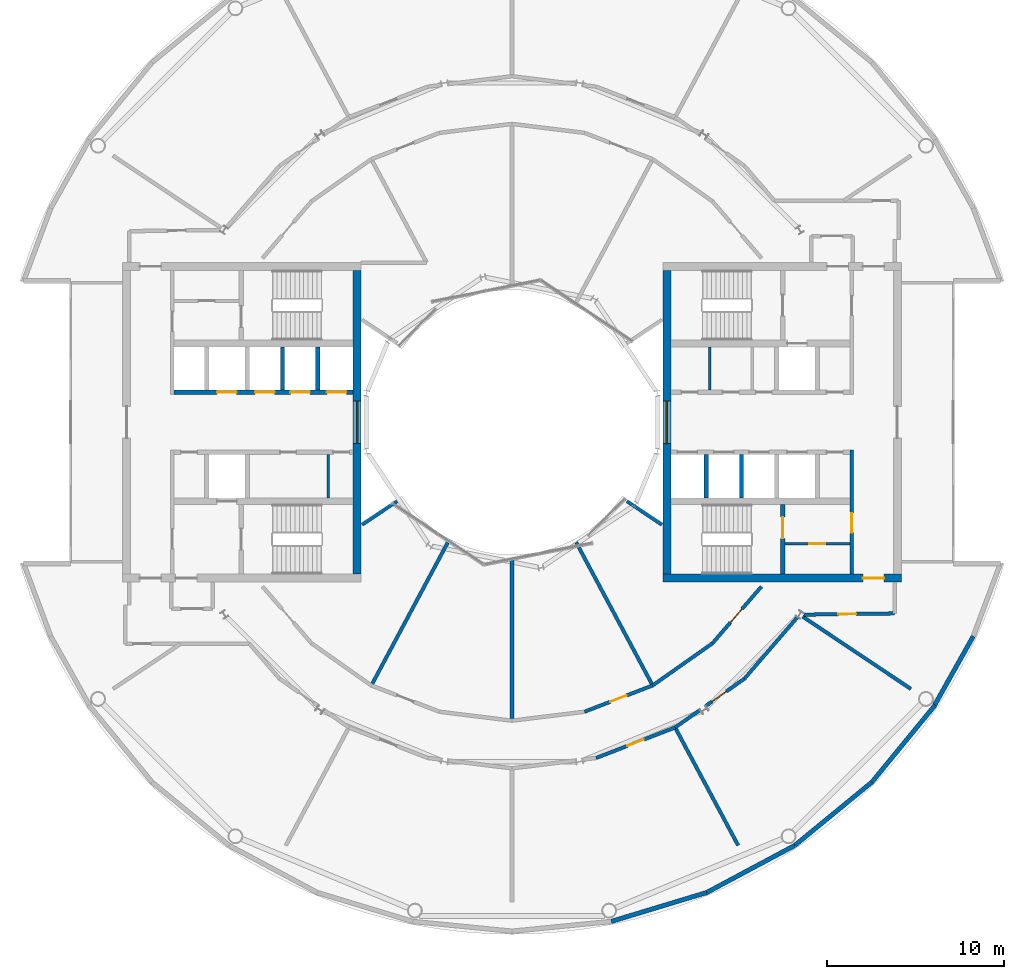
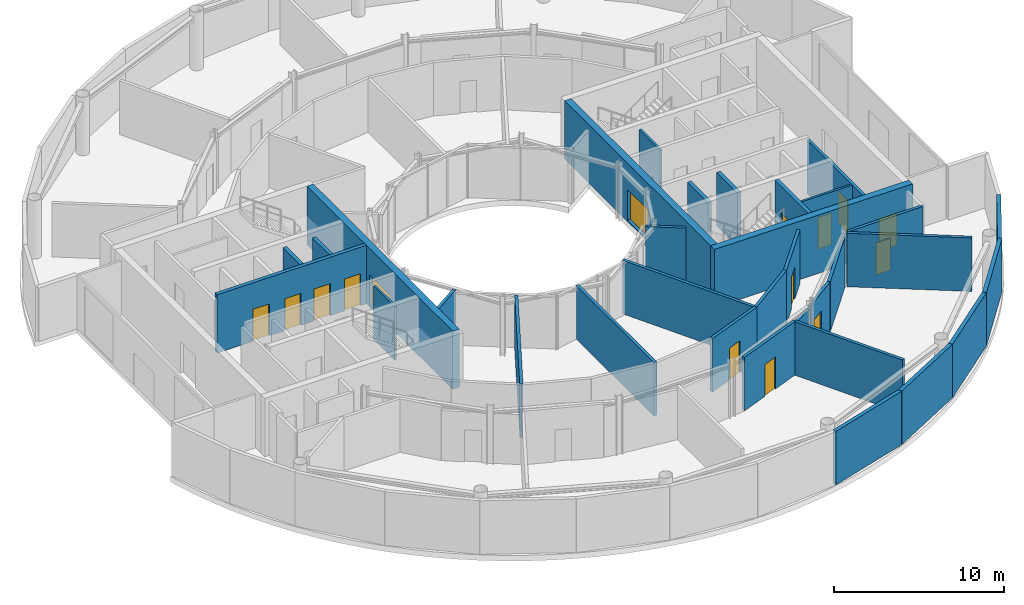
# One storey, part 13 of 19: 33 walls, 13 doors, 2 windows, 15 openings.
"""IFC4 building model written with IfcOpenShell, lengths in metres."""

from ifc_helpers import new_model, si_unit, direction, frame, frame_2d, origin, place, context, subcontext, project, spatial, rectangle, extrude, material, layer, layer_set, type_object, element, fill, save


model = new_model("IFC4")

# Units and contexts
model_context = context("Model", 3, precision=1e-05, world=origin(), true_north=direction((0.0, 1.0)))
body_context = subcontext(model_context, "Body", "Model", "MODEL_VIEW")
ifc_project = project(units=[si_unit("LENGTHUNIT", "METRE"), si_unit("AREAUNIT", "SQUARE_METRE"), si_unit("VOLUMEUNIT", "CUBIC_METRE"), si_unit("PLANEANGLEUNIT", "RADIAN"), si_unit("MASSUNIT", "GRAM", prefix="KILO")], contexts=[model_context])

# Site, building, storey
site_placement = place(None, origin())
site = spatial("IfcSite", under=ifc_project, at=site_placement, CompositionType="ELEMENT")
building_placement = place(site_placement, origin())
building = spatial("IfcBuilding", under=site, at=building_placement, Name="Maasbend Ring Residences", CompositionType="ELEMENT")
storey_placement = place(building_placement, frame((0.0, 0.0, 186.0)))
storey = spatial("IfcBuildingStorey", under=building, at=storey_placement, Name="L53", CompositionType="ELEMENT", Elevation=186.0)

# Wall, opening, door
ifc_material_1 = material(Name="Concrete C30/37", Category="concrete")
ifc_layer_1 = layer(ifc_material_1, 0.199951171875)
ifc_layer_set_1 = layer_set([ifc_layer_1], Name="Concrete C30/37")
wall_type_1 = type_object("IfcWallType", Name="COMPARTMENT WALL 200 CONCRETE", PredefinedType="PARTITIONING", material=ifc_layer_set_1)
wall_1_placement = place(storey_placement, frame((4.761962890625, -19.012939453125, 0.0), z_axis=(0.0, 0.0, 1.0), x_axis=(0.932988479706, 0.359906233255, 0.0)))
wall_1 = element("IfcWall", 1, at=wall_1_placement, inside=storey, type_object=wall_type_1, Name="U-L53-w012", PredefinedType="PARTITIONING", context=body_context, shape_type="SweptSolid", body=[
    extrude(rectangle(XDim=4.798583984375, YDim=0.199951171875, at=frame_2d((2.3994140625, 0.0))), origin(), (0.0, 0.0, 1.0), 3.85009765625),
])
opening_1_placement = place(wall_1_placement, frame((1.89892578125, 0.0, 0.0)))
opening_1 = element("IfcOpeningElement", 2, at=opening_1_placement, cuts=wall_1, Name="Opening D-5313", PredefinedType="OPENING", context=body_context, shape_type="SweptSolid", body=[
    extrude(rectangle(XDim=1.0, YDim=2.300048828125, at=frame_2d((0.5, 1.14990234375))), frame((0.0, 0.10986328125, 0.0), z_axis=(0.0, -1.0, 0.0), x_axis=(1.0, 0.0, 0.0)), (0.0, 0.0, 1.0), 0.219970703125),
])
ifc_material_2 = material(Name="Steel, fire-rated, painted", Category="steel")
door_type_1 = type_object("IfcDoorType", Name="PLANT DOOR 1000 X 2300 FIRE-RATED", OperationType="NOTDEFINED", PredefinedType="DOOR", material=ifc_material_2)
door_1_placement = place(opening_1_placement, origin())
door_1 = element("IfcDoor", 3, at=door_1_placement, inside=storey, type_object=door_type_1, Name="D-5313", OperationType="SINGLE_SWING_LEFT", OverallHeight=2.300048828125, OverallWidth=1.0, PredefinedType="DOOR", context=body_context, shape_type="SweptSolid", body=[
    extrude(rectangle(XDim=1.0, YDim=2.300048828125, at=frame_2d((0.5, 1.14990234375))), frame((0.0, 0.02490234375, 0.0), z_axis=(0.0, -1.0, 0.0), x_axis=(1.0, 0.0, 0.0)), (0.0, 0.0, 1.0), 0.050048828125),
])
fill(opening_1, door_1)

# Wall
wall_2_placement = place(storey_placement, frame((9.239013671875, -17.285888671875, 0.0), z_axis=(0.0, 0.0, 1.0), x_axis=(0.817772792535, 0.575541188613, 0.0)))
element("IfcWall", 4, at=wall_2_placement, inside=storey, type_object=wall_type_1, Name="U-L53-w013", PredefinedType="PARTITIONING", context=body_context, shape_type="SweptSolid", body=[
    extrude(rectangle(XDim=1.77197265625, YDim=0.199951171875, at=frame_2d((0.885986328125, 0.0))), origin(), (0.0, 0.0, 1.0), 3.60009765625),
])

# Wall, opening, door
wall_3_placement = place(storey_placement, frame((10.93310546875, -16.093017578125, 0.0), z_axis=(0.0, 0.0, 1.0), x_axis=(0.817664396292, 0.57569517545, 0.0)))
wall_3 = element("IfcWall", 5, at=wall_3_placement, inside=storey, type_object=wall_type_1, Name="U-L53-w014", PredefinedType="PARTITIONING", context=body_context, shape_type="SweptSolid", body=[
    extrude(rectangle(XDim=2.727294921875, YDim=0.199951171875, at=frame_2d((1.36376953125, 0.0))), origin(), (0.0, 0.0, 1.0), 3.60009765625),
])
opening_2_placement = place(wall_3_placement, frame((0.47802734375, 0.0, 0.0)))
opening_2 = element("IfcOpeningElement", 6, at=opening_2_placement, cuts=wall_3, Name="Opening D-5314", PredefinedType="OPENING", context=body_context, shape_type="SweptSolid", body=[
    extrude(rectangle(XDim=1.0, YDim=2.300048828125, at=frame_2d((0.5, 1.14990234375))), frame((0.0, 0.10986328125, 0.0), z_axis=(0.0, -1.0, 0.0), x_axis=(1.0, 0.0, 0.0)), (0.0, 0.0, 1.0), 0.219970703125),
])
door_2_placement = place(opening_2_placement, origin())
door_2 = element("IfcDoor", 7, at=door_2_placement, inside=storey, type_object=door_type_1, Name="D-5314", OperationType="SINGLE_SWING_LEFT", OverallHeight=2.300048828125, OverallWidth=1.0, PredefinedType="DOOR", context=body_context, shape_type="SweptSolid", body=[
    extrude(rectangle(XDim=1.0, YDim=2.300048828125, at=frame_2d((0.5, 1.14990234375))), frame((0.0, 0.02490234375, 0.0), z_axis=(0.0, -1.0, 0.0), x_axis=(1.0, 0.0, 0.0)), (0.0, 0.0, 1.0), 0.050048828125),
])
fill(opening_2, door_2)

# Wall
wall_4_placement = place(storey_placement, frame((13.1630859375, -14.52294921875, 0.0), z_axis=(0.0, 0.0, 1.0), x_axis=(0.653094461639, 0.757276451619, 0.0)))
element("IfcWall", 8, at=wall_4_placement, inside=storey, type_object=wall_type_1, Name="U-L53-w015", PredefinedType="PARTITIONING", context=body_context, shape_type="SweptSolid", body=[
    extrude(rectangle(XDim=4.64697265625, YDim=0.199951171875, at=frame_2d((2.323486328125, 0.0))), origin(), (0.0, 0.0, 1.0), 3.60009765625),
])

# Wall, opening, door
wall_5_placement = place(storey_placement, frame((4.10595703125, -16.39404296875, 0.0), z_axis=(0.0, 0.0, 1.0), x_axis=(0.932943640288, 0.360022449363, 0.0)))
wall_5 = element("IfcWall", 9, at=wall_5_placement, inside=storey, type_object=wall_type_1, Name="U-L53-w023", PredefinedType="PARTITIONING", context=body_context, shape_type="SweptSolid", body=[
    extrude(rectangle(XDim=4.138671875, YDim=0.199951171875, at=frame_2d((2.0693359375, 0.0))), origin(), (0.0, 0.0, 1.0), 3.85009765625),
])
opening_3_placement = place(wall_5_placement, frame((1.569091796875, 0.0, 0.0)))
opening_3 = element("IfcOpeningElement", 10, at=opening_3_placement, cuts=wall_5, Name="Opening D-5317", PredefinedType="OPENING", context=body_context, shape_type="SweptSolid", body=[
    extrude(rectangle(XDim=1.0, YDim=2.300048828125, at=frame_2d((0.5, 1.14990234375))), frame((0.0, 0.10986328125, 0.0), z_axis=(0.0, -1.0, 0.0), x_axis=(1.0, 0.0, 0.0)), (0.0, 0.0, 1.0), 0.219970703125),
])
door_3_placement = place(opening_3_placement, origin())
door_3 = element("IfcDoor", 11, at=door_3_placement, inside=storey, type_object=door_type_1, Name="D-5317", OperationType="SINGLE_SWING_RIGHT", OverallHeight=2.300048828125, OverallWidth=1.0, PredefinedType="DOOR", context=body_context, shape_type="SweptSolid", body=[
    extrude(rectangle(XDim=1.0, YDim=2.300048828125, at=frame_2d((0.5, 1.14990234375))), frame((0.0, 0.02490234375, 0.0), z_axis=(0.0, -1.0, 0.0), x_axis=(1.0, 0.0, 0.0)), (0.0, 0.0, 1.0), 0.050048828125),
])
fill(opening_3, door_3)

# Wall
wall_6_placement = place(storey_placement, frame((7.967041015625, -14.904052734375, 0.0), z_axis=(0.0, 0.0, 1.0), x_axis=(0.817567680547, 0.575832517079, 0.0)))
element("IfcWall", 12, at=wall_6_placement, inside=storey, type_object=wall_type_1, Name="U-L53-w024", PredefinedType="PARTITIONING", context=body_context, shape_type="SweptSolid", body=[
    extrude(rectangle(XDim=4.13671875, YDim=0.199951171875, at=frame_2d((2.068359375, 0.0))), origin(), (0.0, 0.0, 1.0), 3.85009765625),
])

# Wall, opening, door
wall_7_placement = place(storey_placement, frame((11.34912109375, -12.52197265625, 0.0), z_axis=(0.0, 0.0, 1.0), x_axis=(0.65324486504, 0.757146713853, 0.0)))
wall_7 = element("IfcWall", 13, at=wall_7_placement, inside=storey, type_object=wall_type_1, Name="U-L53-w025", PredefinedType="PARTITIONING", context=body_context, shape_type="SweptSolid", body=[
    extrude(rectangle(XDim=4.25537109375, YDim=0.199951171875, at=frame_2d((2.127685546875, 0.0))), origin(), (0.0, 0.0, 1.0), 3.85009765625),
])
opening_4_placement = place(wall_7_placement, frame((1.569091796875, 0.0, 0.0)))
opening_4 = element("IfcOpeningElement", 14, at=opening_4_placement, cuts=wall_7, Name="Opening D-5318", PredefinedType="OPENING", context=body_context, shape_type="SweptSolid", body=[
    extrude(rectangle(XDim=1.0, YDim=2.300048828125, at=frame_2d((0.5, 1.14990234375))), frame((0.0, 0.10986328125, 0.0), z_axis=(0.0, -1.0, 0.0), x_axis=(1.0, 0.0, 0.0)), (0.0, 0.0, 1.0), 0.219970703125),
])
door_4_placement = place(opening_4_placement, origin())
door_4 = element("IfcDoor", 15, at=door_4_placement, inside=storey, type_object=door_type_1, Name="D-5318", OperationType="SINGLE_SWING_RIGHT", OverallHeight=2.300048828125, OverallWidth=1.0, PredefinedType="DOOR", context=body_context, shape_type="SweptSolid", body=[
    extrude(rectangle(XDim=1.0, YDim=2.300048828125, at=frame_2d((0.5, 1.14990234375))), frame((0.0, 0.02490234375, 0.0), z_axis=(0.0, -1.0, 0.0), x_axis=(1.0, 0.0, 0.0)), (0.0, 0.0, 1.0), 0.050048828125),
])
fill(opening_4, door_4)

wall_8_placement = place(storey_placement, frame((16.533935546875, -10.89404296875, 0.0), z_axis=(0.0, 0.0, 1.0), x_axis=(0.999909707888, 0.013437859594, 0.0)))
wall_8 = element("IfcWall", 16, at=wall_8_placement, inside=storey, type_object=wall_type_1, Name="U-L53-w027", PredefinedType="PARTITIONING", context=body_context, shape_type="SweptSolid", body=[
    extrude(rectangle(XDim=5.1416015625, YDim=0.199951171875, at=frame_2d((2.57080078125, 0.0))), origin(), (0.0, 0.0, 1.0), 3.85009765625),
])
opening_5_placement = place(wall_8_placement, frame((1.9580078125, 0.0, 0.0)))
opening_5 = element("IfcOpeningElement", 17, at=opening_5_placement, cuts=wall_8, Name="Opening D-5321", PredefinedType="OPENING", context=body_context, shape_type="SweptSolid", body=[
    extrude(rectangle(XDim=1.0, YDim=2.300048828125, at=frame_2d((0.5, 1.14990234375))), frame((0.0, 0.10986328125, 0.0), z_axis=(0.0, -1.0, 0.0), x_axis=(1.0, 0.0, 0.0)), (0.0, 0.0, 1.0), 0.219970703125),
])
door_5_placement = place(opening_5_placement, origin())
door_5 = element("IfcDoor", 18, at=door_5_placement, inside=storey, type_object=door_type_1, Name="D-5321", OperationType="SINGLE_SWING_LEFT", OverallHeight=2.300048828125, OverallWidth=1.0, PredefinedType="DOOR", context=body_context, shape_type="SweptSolid", body=[
    extrude(rectangle(XDim=1.0, YDim=2.300048828125, at=frame_2d((0.5, 1.14990234375))), frame((0.0, 0.02490234375, 0.0), z_axis=(0.0, -1.0, 0.0), x_axis=(1.0, 0.0, 0.0)), (0.0, 0.0, 1.0), 0.050048828125),
])
fill(opening_5, door_5)

# Walls
wall_9_placement = place(storey_placement, frame((-7.966064453125, -14.905029296875, 0.0), z_axis=(0.0, 0.0, 1.0), x_axis=(0.471460365694, 0.881887251059, 0.0)))
element("IfcWall", 19, at=wall_9_placement, inside=storey, type_object=wall_type_1, Name="U-L53-w036", PredefinedType="PARTITIONING", context=body_context, shape_type="SweptSolid", body=[
    extrude(rectangle(XDim=9.18017578125, YDim=0.199951171875, at=frame_2d((4.590087890625, 0.0))), origin(), (0.0, 0.0, 1.0), 3.85009765625),
])
wall_10_placement = place(storey_placement, frame((0.0, -16.89990234375, 0.0), z_axis=(0.0, 0.0, 1.0), x_axis=(0.0, 1.0, 0.0)))
element("IfcWall", 20, at=wall_10_placement, inside=storey, type_object=wall_type_1, Name="U-L53-w038", PredefinedType="PARTITIONING", context=body_context, shape_type="SweptSolid", body=[
    extrude(rectangle(XDim=9.179931640625, YDim=0.199951171875, at=frame_2d((4.58984375, 0.0))), origin(), (0.0, 0.0, 1.0), 3.85009765625),
])
wall_11_placement = place(storey_placement, frame((3.637939453125, -6.80908203125, 0.0), z_axis=(0.0, 0.0, 1.0), x_axis=(0.471460365694, -0.881887251059, 0.0)))
element("IfcWall", 21, at=wall_11_placement, inside=storey, type_object=wall_type_1, Name="U-L53-w041", PredefinedType="PARTITIONING", context=body_context, shape_type="SweptSolid", body=[
    extrude(rectangle(XDim=9.18017578125, YDim=0.199951171875, at=frame_2d((4.590087890625, 0.0))), origin(), (0.0, 0.0, 1.0), 3.85009765625),
])
wall_12_placement = place(storey_placement, frame((9.239013671875, -17.285888671875, 0.0), z_axis=(0.0, 0.0, 1.0), x_axis=(0.471439510802, -0.881898399848, 0.0)))
element("IfcWall", 22, at=wall_12_placement, inside=storey, type_object=wall_type_1, Name="U-L53-w043", PredefinedType="PARTITIONING", context=body_context, shape_type="SweptSolid", body=[
    extrude(rectangle(XDim=7.57470703125, YDim=0.199951171875, at=frame_2d((3.787353515625, 0.0))), origin(), (0.0, 0.0, 1.0), 3.85009765625),
])
wall_13_placement = place(storey_placement, frame((16.4609375, -11.0029296875, 0.0), z_axis=(0.0, 0.0, 1.0), x_axis=(0.831418274402, -0.555647057933, 0.0)))
element("IfcWall", 23, at=wall_13_placement, inside=storey, type_object=wall_type_1, Name="U-L53-w045", PredefinedType="PARTITIONING", context=body_context, shape_type="SweptSolid", body=[
    extrude(rectangle(XDim=7.37548828125, YDim=0.199951171875, at=frame_2d((3.687744140625, 0.0))), origin(), (0.0, 0.0, 1.0), 3.85009765625),
])

# Wall, opening, door
ifc_material_3 = material(Name="Concrete C50/60", Category="concrete")
ifc_layer_2 = layer(ifc_material_3, 0.25)
ifc_layer_set_2 = layer_set([ifc_layer_2], Name="Concrete C50/60")
wall_type_2 = type_object("IfcWallType", Name="CORE WALL 250 C50/60", PredefinedType="SHEAR", material=ifc_layer_set_2)
wall_14_placement = place(storey_placement, frame((15.324951171875, -8.60009765625, 0.0), z_axis=(0.0, 0.0, 1.0), x_axis=(0.0, 1.0, 0.0)))
wall_14 = element("IfcWall", 24, at=wall_14_placement, inside=storey, type_object=wall_type_2, Name="L53 core E wall STES", PredefinedType="SHEAR", context=body_context, shape_type="SweptSolid", body=[
    extrude(rectangle(XDim=3.9501953125, YDim=0.25, at=frame_2d((1.97509765625, 0.0))), origin(), (0.0, 0.0, 1.0), 4.199951171875),
])
opening_6_placement = place(wall_14_placement, frame((2.02490234375, 0.0, 0.0)))
opening_6 = element("IfcOpeningElement", 25, at=opening_6_placement, cuts=wall_14, Name="Opening D-E5313", PredefinedType="OPENING", context=body_context, shape_type="SweptSolid", body=[
    extrude(rectangle(XDim=1.199951171875, YDim=2.300048828125, at=frame_2d((0.60009765625, 1.14990234375))), frame((0.0, 0.135009765625, 0.0), z_axis=(0.0, -1.0, 0.0), x_axis=(1.0, 0.0, 0.0)), (0.0, 0.0, 1.0), 0.27001953125),
])
ifc_material_4 = material(Name="Steel, powder coated", Category="steel")
door_type_2 = type_object("IfcDoorType", Name="STAIR DOOR 1200 X 2300 FD60", OperationType="NOTDEFINED", PredefinedType="DOOR", material=ifc_material_4)
door_6_placement = place(opening_6_placement, origin())
door_6 = element("IfcDoor", 26, at=door_6_placement, inside=storey, type_object=door_type_2, Name="Stair door ST-E L53", OperationType="SINGLE_SWING_LEFT", OverallHeight=2.300048828125, OverallWidth=1.199951171875, PredefinedType="DOOR", context=body_context, shape_type="SweptSolid", body=[
    extrude(rectangle(XDim=1.199951171875, YDim=2.300048828125, at=frame_2d((0.60009765625, 1.14990234375))), frame((0.0, 0.02490234375, 0.0), z_axis=(0.0, -1.0, 0.0), x_axis=(1.0, 0.0, 0.0)), (0.0, 0.0, 1.0), 0.050048828125),
])
fill(opening_6, door_6)

# Wall, openings, doors
wall_15_placement = place(storey_placement, frame((-9.0, 1.699951171875, 0.0), z_axis=(0.0, 0.0, 1.0), x_axis=(-1.0, 0.0, 0.0)))
wall_15 = element("IfcWall", 27, at=wall_15_placement, inside=storey, type_object=wall_type_2, Name="L53 core W wall SPS", PredefinedType="SHEAR", context=body_context, shape_type="SweptSolid", body=[
    extrude(rectangle(XDim=10.14990234375, YDim=0.25, at=frame_2d((5.074951171875, 0.0))), origin(), (0.0, 0.0, 1.0), 4.199951171875),
])
opening_7_placement = place(wall_15_placement, frame((0.387451171875, 0.0, 0.0)))
opening_7 = element("IfcOpeningElement", 28, at=opening_7_placement, cuts=wall_15, Name="Opening LD-W5302", PredefinedType="OPENING", context=body_context, shape_type="SweptSolid", body=[
    extrude(rectangle(XDim=1.10009765625, YDim=2.300048828125, at=frame_2d((0.550048828125, 1.14990234375))), frame((0.0, 0.135009765625, 0.0), z_axis=(0.0, -1.0, 0.0), x_axis=(1.0, 0.0, 0.0)), (0.0, 0.0, 1.0), 0.27001953125),
])
opening_8_placement = place(wall_15_placement, frame((2.449951171875, 0.0, 0.0)))
opening_8 = element("IfcOpeningElement", 29, at=opening_8_placement, cuts=wall_15, Name="Opening LD-W5303", PredefinedType="OPENING", context=body_context, shape_type="SweptSolid", body=[
    extrude(rectangle(XDim=1.10009765625, YDim=2.300048828125, at=frame_2d((0.550048828125, 1.14990234375))), frame((0.0, 0.135009765625, 0.0), z_axis=(0.0, -1.0, 0.0), x_axis=(1.0, 0.0, 0.0)), (0.0, 0.0, 1.0), 0.27001953125),
])
opening_9_placement = place(wall_15_placement, frame((4.449951171875, 0.0, 0.0)))
opening_9 = element("IfcOpeningElement", 30, at=opening_9_placement, cuts=wall_15, Name="Opening LD-W5304", PredefinedType="OPENING", context=body_context, shape_type="SweptSolid", body=[
    extrude(rectangle(XDim=1.10009765625, YDim=2.300048828125, at=frame_2d((0.550048828125, 1.14990234375))), frame((0.0, 0.135009765625, 0.0), z_axis=(0.0, -1.0, 0.0), x_axis=(1.0, 0.0, 0.0)), (0.0, 0.0, 1.0), 0.27001953125),
])
opening_10_placement = place(wall_15_placement, frame((6.60009765625, 0.0, 0.0)))
opening_10 = element("IfcOpeningElement", 31, at=opening_10_placement, cuts=wall_15, Name="Opening LD-W5305", PredefinedType="OPENING", context=body_context, shape_type="SweptSolid", body=[
    extrude(rectangle(XDim=1.10009765625, YDim=2.300048828125, at=frame_2d((0.550048828125, 1.14990234375))), frame((0.0, 0.135009765625, 0.0), z_axis=(0.0, -1.0, 0.0), x_axis=(1.0, 0.0, 0.0)), (0.0, 0.0, 1.0), 0.27001953125),
])
ifc_material_5 = material(Name="Stainless steel 316", Category="steel")
door_type_3 = type_object("IfcDoorType", Name="LANDING DOOR 1100 X 2300 FD60", OperationType="DOUBLE_DOOR_SLIDING", PredefinedType="DOOR", material=ifc_material_5)
door_7_placement = place(opening_7_placement, origin())
door_7 = element("IfcDoor", 32, at=door_7_placement, inside=storey, type_object=door_type_3, Name="Landing door HR-W1 L53", OperationType="DOUBLE_DOOR_SLIDING", OverallHeight=2.300048828125, OverallWidth=1.10009765625, PredefinedType="DOOR", context=body_context, shape_type="SweptSolid", body=[
    extrude(rectangle(XDim=1.10009765625, YDim=2.300048828125, at=frame_2d((0.550048828125, 1.14990234375))), frame((0.0, 0.02490234375, 0.0), z_axis=(0.0, -1.0, 0.0), x_axis=(1.0, 0.0, 0.0)), (0.0, 0.0, 1.0), 0.050048828125),
])
fill(opening_7, door_7)
door_8_placement = place(opening_8_placement, origin())
door_8 = element("IfcDoor", 33, at=door_8_placement, inside=storey, type_object=door_type_3, Name="Landing door HR-W2 L53", OperationType="DOUBLE_DOOR_SLIDING", OverallHeight=2.300048828125, OverallWidth=1.10009765625, PredefinedType="DOOR", context=body_context, shape_type="SweptSolid", body=[
    extrude(rectangle(XDim=1.10009765625, YDim=2.300048828125, at=frame_2d((0.550048828125, 1.14990234375))), frame((0.0, 0.02490234375, 0.0), z_axis=(0.0, -1.0, 0.0), x_axis=(1.0, 0.0, 0.0)), (0.0, 0.0, 1.0), 0.050048828125),
])
fill(opening_8, door_8)
door_9_placement = place(opening_9_placement, origin())
door_9 = element("IfcDoor", 34, at=door_9_placement, inside=storey, type_object=door_type_3, Name="Landing door HR-W3 L53", OperationType="DOUBLE_DOOR_SLIDING", OverallHeight=2.300048828125, OverallWidth=1.10009765625, PredefinedType="DOOR", context=body_context, shape_type="SweptSolid", body=[
    extrude(rectangle(XDim=1.10009765625, YDim=2.300048828125, at=frame_2d((0.550048828125, 1.14990234375))), frame((0.0, 0.02490234375, 0.0), z_axis=(0.0, -1.0, 0.0), x_axis=(1.0, 0.0, 0.0)), (0.0, 0.0, 1.0), 0.050048828125),
])
fill(opening_9, door_9)
door_10_placement = place(opening_10_placement, origin())
door_10 = element("IfcDoor", 35, at=door_10_placement, inside=storey, type_object=door_type_3, Name="Landing door SV-W L53", OperationType="DOUBLE_DOOR_SLIDING", OverallHeight=2.300048828125, OverallWidth=1.10009765625, PredefinedType="DOOR", context=body_context, shape_type="SweptSolid", body=[
    extrude(rectangle(XDim=1.10009765625, YDim=2.300048828125, at=frame_2d((0.550048828125, 1.14990234375))), frame((0.0, 0.02490234375, 0.0), z_axis=(0.0, -1.0, 0.0), x_axis=(1.0, 0.0, 0.0)), (0.0, 0.0, 1.0), 0.050048828125),
])
fill(opening_10, door_10)

# Wall, opening, door
ifc_material_6 = material(Name="Concrete C50/60", Category="concrete")
ifc_layer_3 = layer(ifc_material_6, 0.449951171875)
ifc_layer_set_3 = layer_set([ifc_layer_3], Name="Concrete C50/60")
wall_type_3 = type_object("IfcWallType", Name="CORE WALL 450 C50/60", PredefinedType="SHEAR", material=ifc_layer_set_3)
wall_16_placement = place(storey_placement, frame((8.550048828125, -8.824951171875, 0.0), z_axis=(0.0, 0.0, 1.0), x_axis=(1.0, 0.0, 0.0)))
wall_16 = element("IfcWall", 36, at=wall_16_placement, inside=storey, type_object=wall_type_3, Name="L53 core E wall PS", PredefinedType="SHEAR", context=body_context, shape_type="SweptSolid", body=[
    extrude(rectangle(XDim=13.5, YDim=0.449951171875, at=frame_2d((6.75, 0.0))), origin(), (0.0, 0.0, 1.0), 4.199951171875),
])
opening_11_placement = place(wall_16_placement, frame((11.324951171875, 0.0, 0.0)))
opening_11 = element("IfcOpeningElement", 37, at=opening_11_placement, cuts=wall_16, Name="Opening D-E5317", PredefinedType="OPENING", context=body_context, shape_type="SweptSolid", body=[
    extrude(rectangle(XDim=1.199951171875, YDim=2.300048828125, at=frame_2d((0.60009765625, 1.14990234375))), frame((0.0, 0.23486328125, 0.0), z_axis=(0.0, -1.0, 0.0), x_axis=(1.0, 0.0, 0.0)), (0.0, 0.0, 1.0), 0.469970703125),
])
ifc_material_7 = material(Name="Steel, powder coated", Category="steel")
door_type_4 = type_object("IfcDoorType", Name="CORRIDOR DOOR 1200 X 2300 FD30S", OperationType="NOTDEFINED", PredefinedType="DOOR", material=ifc_material_7)
door_11_placement = place(opening_11_placement, origin())
door_11 = element("IfcDoor", 38, at=door_11_placement, inside=storey, type_object=door_type_4, Name="Corridor door L53", OperationType="SINGLE_SWING_LEFT", OverallHeight=2.300048828125, OverallWidth=1.199951171875, PredefinedType="DOOR", context=body_context, shape_type="SweptSolid", body=[
    extrude(rectangle(XDim=1.199951171875, YDim=2.300048828125, at=frame_2d((0.60009765625, 1.14990234375))), frame((0.0, 0.02490234375, 0.0), z_axis=(0.0, -1.0, 0.0), x_axis=(1.0, 0.0, 0.0)), (0.0, 0.0, 1.0), 0.050048828125),
])
fill(opening_11, door_11)

# Wall, opening, window
wall_17_placement = place(storey_placement, frame((8.77490234375, -8.60009765625, 0.0), z_axis=(0.0, 0.0, 1.0), x_axis=(0.0, 1.0, 0.0)))
wall_17 = element("IfcWall", 39, at=wall_17_placement, inside=storey, type_object=wall_type_3, Name="L53 core E wall PIN", PredefinedType="SHEAR", context=body_context, shape_type="SweptSolid", body=[
    extrude(rectangle(XDim=17.2001953125, YDim=0.449951171875, at=frame_2d((8.60009765625, 0.0))), origin(), (0.0, 0.0, 1.0), 4.199951171875),
])
opening_12_placement = place(wall_17_placement, frame((7.39990234375, 0.0, 0.10009765625)))
opening_12 = element("IfcOpeningElement", 40, at=opening_12_placement, cuts=wall_17, Name="Opening W-E5301", PredefinedType="OPENING", context=body_context, shape_type="SweptSolid", body=[
    extrude(rectangle(XDim=2.39990234375, YDim=2.199951171875, at=frame_2d((1.199951171875, 1.10009765625))), frame((0.0, 0.23486328125, 0.0), z_axis=(0.0, -1.0, 0.0), x_axis=(1.0, 0.0, 0.0)), (0.0, 0.0, 1.0), 0.469970703125),
])
ifc_material_8 = material(Name="Aluminium frame and clear glass", Category="aluminium")
window_type = type_object("IfcWindowType", Name="FIXED WINDOW 2400 X 2200", PartitioningType="SINGLE_PANEL", PredefinedType="WINDOW", material=ifc_material_8)
window_1_placement = place(opening_12_placement, origin())
window_1 = element("IfcWindow", 41, at=window_1_placement, inside=storey, type_object=window_type, Name="Lobby window L53", OverallHeight=2.199951171875, OverallWidth=2.39990234375, PartitioningType="SINGLE_PANEL", PredefinedType="WINDOW", context=body_context, shape_type="SweptSolid", body=[
    extrude(rectangle(XDim=2.39990234375, YDim=2.199951171875, at=frame_2d((1.199951171875, 1.10009765625))), frame((0.0, 0.030029296875, 0.0), z_axis=(0.0, -1.0, 0.0), x_axis=(1.0, 0.0, 0.0)), (0.0, 0.0, 1.0), 0.06005859375),
])
fill(opening_12, window_1)

wall_18_placement = place(storey_placement, frame((-8.77490234375, 8.60009765625, 0.0), z_axis=(0.0, 0.0, 1.0), x_axis=(0.0, -1.0, 0.0)))
wall_18 = element("IfcWall", 42, at=wall_18_placement, inside=storey, type_object=wall_type_3, Name="L53 core W wall PIN", PredefinedType="SHEAR", context=body_context, shape_type="SweptSolid", body=[
    extrude(rectangle(XDim=17.2001953125, YDim=0.449951171875, at=frame_2d((8.60009765625, 0.0))), origin(), (0.0, 0.0, 1.0), 4.199951171875),
])
opening_13_placement = place(wall_18_placement, frame((7.39990234375, 0.0, 0.10009765625)))
opening_13 = element("IfcOpeningElement", 43, at=opening_13_placement, cuts=wall_18, Name="Opening W-W5301", PredefinedType="OPENING", context=body_context, shape_type="SweptSolid", body=[
    extrude(rectangle(XDim=2.39990234375, YDim=2.199951171875, at=frame_2d((1.199951171875, 1.10009765625))), frame((0.0, 0.23486328125, 0.0), z_axis=(0.0, -1.0, 0.0), x_axis=(1.0, 0.0, 0.0)), (0.0, 0.0, 1.0), 0.469970703125),
])
window_2_placement = place(opening_13_placement, origin())
window_2 = element("IfcWindow", 44, at=window_2_placement, inside=storey, type_object=window_type, Name="Lobby window L53", OverallHeight=2.199951171875, OverallWidth=2.39990234375, PartitioningType="SINGLE_PANEL", PredefinedType="WINDOW", context=body_context, shape_type="SweptSolid", body=[
    extrude(rectangle(XDim=2.39990234375, YDim=2.199951171875, at=frame_2d((1.199951171875, 1.10009765625))), frame((0.0, 0.030029296875, 0.0), z_axis=(0.0, -1.0, 0.0), x_axis=(1.0, 0.0, 0.0)), (0.0, 0.0, 1.0), 0.06005859375),
])
fill(opening_13, window_2)

# Walls
ifc_material_9 = material(Name="Louvred aluminium panel", Category="aluminium")
ifc_layer_4 = layer(ifc_material_9, 0.25)
ifc_layer_set_4 = layer_set([ifc_layer_4], Name="EW-LV")
wall_type_4 = type_object("IfcWallType", Name="EW-LV", PredefinedType="SOLIDWALL", material=ifc_layer_set_4)
wall_19_placement = place(storey_placement, frame((5.623046875, -28.27099609375, 0.0), z_axis=(0.0, 0.0, 1.0), x_axis=(0.956969521741, 0.29018844646, 0.0)))
element("IfcWall", 45, at=wall_19_placement, inside=storey, type_object=wall_type_4, Name="External wall S07", PredefinedType="SOLIDWALL", context=body_context, shape_type="SweptSolid", body=[
    extrude(rectangle(XDim=5.651123046875, YDim=0.25, at=frame_2d((2.82568359375, 0.0))), origin(), (0.0, 0.0, 1.0), 3.85009765625),
])
wall_20_placement = place(storey_placement, frame((11.031005859375, -26.631103515625, 0.0), z_axis=(0.0, 0.0, 1.0), x_axis=(0.881874058161, 0.471485042756, 0.0)))
element("IfcWall", 46, at=wall_20_placement, inside=storey, type_object=wall_type_4, Name="External wall S08", PredefinedType="SOLIDWALL", context=body_context, shape_type="SweptSolid", body=[
    extrude(rectangle(XDim=5.650390625, YDim=0.25, at=frame_2d((2.8251953125, 0.0))), origin(), (0.0, 0.0, 1.0), 3.85009765625),
])
for number, where, z_axis, x_axis, name in (
    (47, (16.013916015625, -23.967041015625, 0.0), (0.0, 0.0, 1.0), (0.773001659186, 0.634403999748, 0.0), "External wall S09"),
    (48, (20.382080078125, -20.382080078125, 0.0), (0.0, 0.0, 1.0), (0.634403999748, 0.773001659186, 0.0), "External wall S10"),
):
    element("IfcWall", number, at=place(storey_placement, frame(where, z_axis=z_axis, x_axis=x_axis)), inside=storey, type_object=wall_type_4, Name=name, PredefinedType="SOLIDWALL", context=body_context, shape_type="SweptSolid", body=[
        extrude(rectangle(XDim=5.65087890625, YDim=0.25, at=frame_2d((2.825439453125, 0.0))), origin(), (0.0, 0.0, 1.0), 3.85009765625),
    ])
wall_21_placement = place(storey_placement, frame((23.946044921875, -16.0, 0.0), z_axis=(0.0, 0.0, 1.0), x_axis=(0.489696356642, 0.871893042919, 0.0)))
element("IfcWall", 49, at=wall_21_placement, inside=storey, type_object=wall_type_4, Name="Horn wall 2.1", PredefinedType="SOLIDWALL", context=body_context, shape_type="SweptSolid", body=[
    extrude(rectangle(XDim=4.45361328125, YDim=0.25, at=frame_2d((2.226806640625, 0.0))), origin(), (0.0, 0.0, 1.0), 3.85009765625),
])
ifc_material_10 = material(Name="Gypsum board on steel studs", Category="steel")
ifc_layer_5 = layer(ifc_material_10, 0.14990234375)
ifc_layer_set_5 = layer_set([ifc_layer_5], Name="PARTITION 150 EI 60")
wall_type_5 = type_object("IfcWallType", Name="PARTITION 150 EI 60", PredefinedType="PARTITIONING", material=ifc_layer_set_5)
wall_22_placement = place(storey_placement, frame((11.199951171875, 1.824951171875, 0.0), z_axis=(0.0, 0.0, 1.0), x_axis=(0.0, 1.0, 0.0)))
element("IfcWall", 50, at=wall_22_placement, inside=storey, type_object=wall_type_5, Name="L53 core E wall PRN1120", PredefinedType="PARTITIONING", context=body_context, shape_type="SweptSolid", body=[
    extrude(rectangle(XDim=2.449951171875, YDim=0.14990234375, at=frame_2d((1.22509765625, 0.0))), origin(), (0.0, 0.0, 1.0), 3.85009765625),
])

# Wall, opening, door
wall_23_placement = place(storey_placement, frame((15.449951171875, -6.875, 0.0), z_axis=(0.0, 0.0, 1.0), x_axis=(1.0, 0.0, 0.0)))
wall_23 = element("IfcWall", 51, at=wall_23_placement, inside=storey, type_object=wall_type_5, Name="L53 core E wall RHS", PredefinedType="PARTITIONING", context=body_context, shape_type="SweptSolid", body=[
    extrude(rectangle(XDim=3.699951171875, YDim=0.14990234375, at=frame_2d((1.85009765625, 0.0))), origin(), (0.0, 0.0, 1.0), 3.85009765625),
])
opening_14_placement = place(wall_23_placement, frame((1.39990234375, 0.0, 0.0)))
opening_14 = element("IfcOpeningElement", 52, at=opening_14_placement, cuts=wall_23, Name="Opening D-E5311", PredefinedType="OPENING", context=body_context, shape_type="SweptSolid", body=[
    extrude(rectangle(XDim=0.89990234375, YDim=2.300048828125, at=frame_2d((0.449951171875, 1.14990234375))), frame((0.0, 0.0849609375, 0.0), z_axis=(0.0, -1.0, 0.0), x_axis=(1.0, 0.0, 0.0)), (0.0, 0.0, 1.0), 0.169921875),
])
ifc_material_11 = material(Name="Steel, powder coated", Category="steel")
door_type_5 = type_object("IfcDoorType", Name="RISER DOOR 900 X 2300 FD60", OperationType="NOTDEFINED", PredefinedType="DOOR", material=ifc_material_11)
door_12_placement = place(opening_14_placement, origin())
door_12 = element("IfcDoor", 53, at=door_12_placement, inside=storey, type_object=door_type_5, Name="Riser door L53", OperationType="SINGLE_SWING_LEFT", OverallHeight=2.300048828125, OverallWidth=0.89990234375, PredefinedType="DOOR", context=body_context, shape_type="SweptSolid", body=[
    extrude(rectangle(XDim=0.89990234375, YDim=2.300048828125, at=frame_2d((0.449951171875, 1.14990234375))), frame((0.0, 0.02490234375, 0.0), z_axis=(0.0, -1.0, 0.0), x_axis=(1.0, 0.0, 0.0)), (0.0, 0.0, 1.0), 0.050048828125),
])
fill(opening_14, door_12)

# Walls
wall_24_placement = place(storey_placement, frame((-10.39990234375, -1.824951171875, 0.0), z_axis=(0.0, 0.0, 1.0), x_axis=(0.0, -1.0, 0.0)))
element("IfcWall", 54, at=wall_24_placement, inside=storey, type_object=wall_type_5, Name="L53 core W wall PRN1040", PredefinedType="PARTITIONING", context=body_context, shape_type="SweptSolid", body=[
    extrude(rectangle(XDim=2.449951171875, YDim=0.14990234375, at=frame_2d((1.22509765625, 0.0))), origin(), (0.0, 0.0, 1.0), 3.85009765625),
])
ifc_material_12 = material(Name="Concrete C30/37", Category="concrete")
ifc_layer_6 = layer(ifc_material_12, 0.199951171875)
ifc_layer_set_6 = layer_set([ifc_layer_6], Name="Concrete C30/37")
wall_type_6 = type_object("IfcWallType", Name="PARTY WALL 200 CONCRETE", PredefinedType="PARTITIONING", material=ifc_layer_set_6)
for number, where, z_axis, x_axis, name in (
    (55, (-6.512939453125, -4.471923828125, 0.0), (0.0, 0.0, 1.0), (-0.831403409976, -0.555669299026, 0.0), "U-L53-w029"),
    (56, (6.512939453125, -4.471923828125, 0.0), (0.0, 0.0, 1.0), (0.831403409976, -0.555669299026, 0.0), "U-L53-w030"),
):
    element("IfcWall", number, at=place(storey_placement, frame(where, z_axis=z_axis, x_axis=x_axis)), inside=storey, type_object=wall_type_6, Name=name, PredefinedType="PARTITIONING", context=body_context, shape_type="SweptSolid", body=[
        extrude(rectangle(XDim=2.382568359375, YDim=0.199951171875, at=frame_2d((1.19140625, 0.0))), origin(), (0.0, 0.0, 1.0), 3.85009765625),
    ])

# Wall, opening, door
ifc_material_13 = material(Name="Concrete C30/37", Category="concrete")
ifc_layer_7 = layer(ifc_material_13, 0.199951171875)
ifc_layer_set_7 = layer_set([ifc_layer_7], Name="Concrete C30/37")
wall_type_7 = type_object("IfcWallType", Name="SHAFT WALL 200 EI 120", PredefinedType="SOLIDWALL", material=ifc_layer_set_7)
wall_25_placement = place(storey_placement, frame((19.25, -8.60009765625, 0.0), z_axis=(0.0, 0.0, 1.0), x_axis=(0.0, 1.0, 0.0)))
wall_25 = element("IfcWall", 57, at=wall_25_placement, inside=storey, type_object=wall_type_7, Name="L53 core E wall ENDS", PredefinedType="SOLIDWALL", context=body_context, shape_type="SweptSolid", body=[
    extrude(rectangle(XDim=7.025146484375, YDim=0.199951171875, at=frame_2d((3.5126953125, 0.0))), origin(), (0.0, 0.0, 1.0), 3.85009765625),
])
opening_15_placement = place(wall_25_placement, frame((2.35009765625, 0.0, 0.0)))
opening_15 = element("IfcOpeningElement", 58, at=opening_15_placement, cuts=wall_25, Name="Opening D-E5315", PredefinedType="OPENING", context=body_context, shape_type="SweptSolid", body=[
    extrude(rectangle(XDim=1.10009765625, YDim=2.300048828125, at=frame_2d((0.550048828125, 1.14990234375))), frame((0.0, 0.10986328125, 0.0), z_axis=(0.0, -1.0, 0.0), x_axis=(1.0, 0.0, 0.0)), (0.0, 0.0, 1.0), 0.219970703125),
])
ifc_material_14 = material(Name="Steel, powder coated", Category="steel")
door_type_6 = type_object("IfcDoorType", Name="LOBBY DOOR 1100 X 2300 FD60", OperationType="NOTDEFINED", PredefinedType="DOOR", material=ifc_material_14)
door_13_placement = place(opening_15_placement, origin())
door_13 = element("IfcDoor", 59, at=door_13_placement, inside=storey, type_object=door_type_6, Name="Lobby door L53", OperationType="SINGLE_SWING_RIGHT", OverallHeight=2.300048828125, OverallWidth=1.10009765625, PredefinedType="DOOR", context=body_context, shape_type="SweptSolid", body=[
    extrude(rectangle(XDim=1.10009765625, YDim=2.300048828125, at=frame_2d((0.550048828125, 1.14990234375))), frame((0.0, 0.02490234375, 0.0), z_axis=(0.0, -1.0, 0.0), x_axis=(1.0, 0.0, 0.0)), (0.0, 0.0, 1.0), 0.050048828125),
])
fill(opening_15, door_13)

# Walls
ifc_material_15 = material(Name="Concrete C30/37", Category="concrete")
ifc_layer_8 = layer(ifc_material_15, 0.25)
ifc_layer_set_8 = layer_set([ifc_layer_8], Name="Concrete C30/37")
wall_type_8 = type_object("IfcWallType", Name="SHAFT WALL 250 EI 120", PredefinedType="SOLIDWALL", material=ifc_layer_set_8)
for number, where, z_axis, x_axis, name in (
    (60, (11.0, -1.824951171875, 0.0), (0.0, 0.0, 1.0), (0.0, -1.0, 0.0), "L53 core E wall D110S"),
    (61, (13.0, -1.824951171875, 0.0), (0.0, 0.0, 1.0), (0.0, -1.0, 0.0), "L53 core E wall D130S"),
    (62, (-11.0, 1.824951171875, 0.0), (0.0, 0.0, 1.0), (0.0, 1.0, 0.0), "L53 core W wall D110S"),
    (63, (-13.0, 1.824951171875, 0.0), (0.0, 0.0, 1.0), (0.0, 1.0, 0.0), "L53 core W wall D130S"),
):
    element("IfcWall", number, at=place(storey_placement, frame(where, z_axis=z_axis, x_axis=x_axis)), inside=storey, type_object=wall_type_8, Name=name, PredefinedType="SOLIDWALL", context=body_context, shape_type="SweptSolid", body=[
        extrude(rectangle(XDim=2.449951171875, YDim=0.25, at=frame_2d((1.22509765625, 0.0))), origin(), (0.0, 0.0, 1.0), 3.85009765625),
    ])

save(model, "model.ifc")
